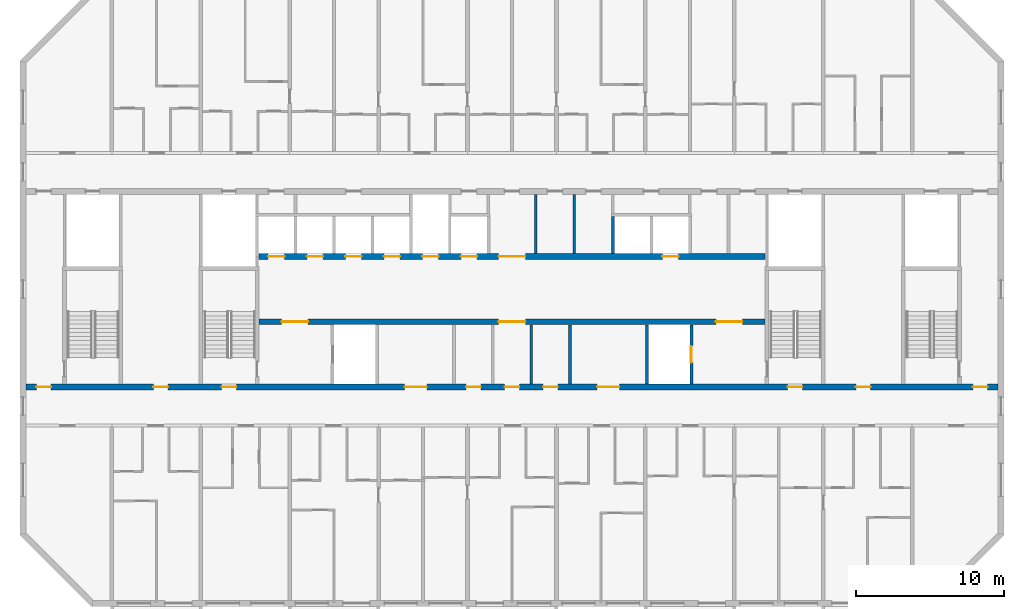
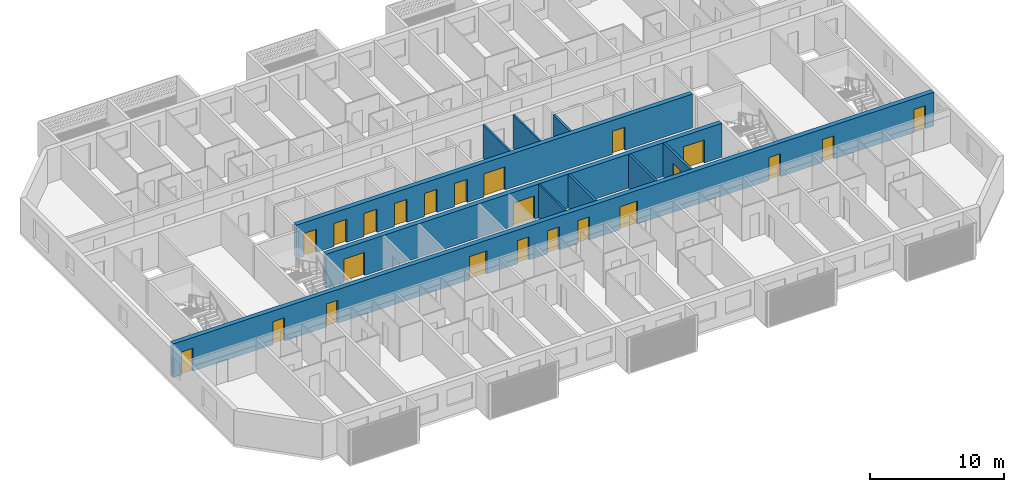
# One storey, part 6 of 27: 23 doors, 10 walls, 23 openings.
"""IFC4 building model written with IfcOpenShell, lengths in metres."""

from ifc_helpers import new_model, si_unit, direction, frame, frame_2d, origin, place, context, subcontext, project, spatial, rectangle, extrude, material, layer, layer_set, type_object, element, fill, save


model = new_model("IFC4")

# Units and contexts
model_context = context("Model", 3, precision=1e-05, world=origin(), true_north=direction((0.0, 1.0)))
body_context = subcontext(model_context, "Body", "Model", "MODEL_VIEW")
ifc_project = project(units=[si_unit("LENGTHUNIT", "METRE"), si_unit("AREAUNIT", "SQUARE_METRE"), si_unit("VOLUMEUNIT", "CUBIC_METRE"), si_unit("PLANEANGLEUNIT", "RADIAN"), si_unit("MASSUNIT", "GRAM", prefix="KILO")], contexts=[model_context])

# Site, building, storey
site_placement = place(None, origin())
site = spatial("IfcSite", under=ifc_project, at=site_placement, CompositionType="ELEMENT")
building_placement = place(site_placement, origin())
building = spatial("IfcBuilding", under=site, at=building_placement, Name="Poui Terraces", CompositionType="ELEMENT")
storey_placement = place(building_placement, frame((0.0, 0.0, 198.300048828125)))
storey = spatial("IfcBuildingStorey", under=building, at=storey_placement, Name="L55", CompositionType="ELEMENT", Elevation=198.300048828125)

# Wall, openings, doors
ifc_material_1 = material(Name="Concrete 50 MPa", Category="concrete")
ifc_layer_1 = layer(ifc_material_1, 0.39990234375)
ifc_layer_set_1 = layer_set([ifc_layer_1], Name="Concrete 50 MPa")
wall_type_1 = type_object("IfcWallType", Name="CORE WALL 400 50 MPA", PredefinedType="SOLIDWALL", material=ifc_layer_set_1)
wall_1_placement = place(storey_placement, frame((33.925048828125, 19.0, 0.0), z_axis=(0.0, 0.0, 1.0), x_axis=(1.0, 0.0, 0.0)))
wall_1 = element("IfcWall", 1, at=wall_1_placement, inside=storey, type_object=wall_type_1, Name="CORE WALL", PredefinedType="SOLIDWALL", context=body_context, shape_type="SweptSolid", body=[
    extrude(rectangle(XDim=34.14990234375, YDim=0.39990234375, at=frame_2d((17.074951171875, 0.0))), origin(), (0.0, 0.0, 1.0), 3.079833984375),
])
opening_1_placement = place(wall_1_placement, frame((16.175048828125, 0.0, 0.0)))
opening_1 = element("IfcOpeningElement", 2, at=opening_1_placement, cuts=wall_1, Name="Opening FDD60", PredefinedType="OPENING", context=body_context, shape_type="SweptSolid", body=[
    extrude(rectangle(XDim=1.800048828125, YDim=2.10009765625, at=frame_2d((0.89990234375, 1.050048828125))), frame((0.0, 0.2099609375, 0.0), z_axis=(0.0, -1.0, 0.0), x_axis=(1.0, 0.0, 0.0)), (0.0, 0.0, 1.0), 0.419921875),
])
opening_2_placement = place(wall_1_placement, frame((1.52490234375, 0.0, 0.0)))
opening_2 = element("IfcOpeningElement", 3, at=opening_2_placement, cuts=wall_1, Name="Opening FDD60", PredefinedType="OPENING", context=body_context, shape_type="SweptSolid", body=[
    extrude(rectangle(XDim=1.800048828125, YDim=2.10009765625, at=frame_2d((0.89990234375, 1.050048828125))), frame((0.0, 0.2099609375, 0.0), z_axis=(0.0, -1.0, 0.0), x_axis=(1.0, 0.0, 0.0)), (0.0, 0.0, 1.0), 0.419921875),
])
opening_3_placement = place(wall_1_placement, frame((30.824951171875, 0.0, 0.0)))
opening_3 = element("IfcOpeningElement", 4, at=opening_3_placement, cuts=wall_1, Name="Opening FDD60", PredefinedType="OPENING", context=body_context, shape_type="SweptSolid", body=[
    extrude(rectangle(XDim=1.800048828125, YDim=2.10009765625, at=frame_2d((0.89990234375, 1.050048828125))), frame((0.0, 0.2099609375, 0.0), z_axis=(0.0, -1.0, 0.0), x_axis=(1.0, 0.0, 0.0)), (0.0, 0.0, 1.0), 0.419921875),
])
ifc_material_2 = material(Name="Steel fire door", Category="steel")
door_type_1 = type_object("IfcDoorType", Name="DOUBLE LOBBY FIRE DOOR 1800 X 2100", OperationType="DOUBLE_DOOR_SINGLE_SWING", PredefinedType="DOOR", material=ifc_material_2)
door_1_placement = place(opening_1_placement, frame((1.800048828125, 0.0, 0.0), z_axis=(0.0, 0.0, 1.0), x_axis=(-1.0, 0.0, 0.0)))
door_1 = element("IfcDoor", 5, at=door_1_placement, inside=storey, type_object=door_type_1, Name="DOUBLE LOBBY FIRE DOOR 104", OperationType="DOUBLE_DOOR_SINGLE_SWING", OverallHeight=2.10009765625, OverallWidth=1.800048828125, PredefinedType="DOOR", context=body_context, shape_type="SweptSolid", body=[
    extrude(rectangle(XDim=1.800048828125, YDim=2.10009765625, at=frame_2d((0.89990234375, 1.050048828125))), frame((0.0, 0.02490234375, 0.0), z_axis=(0.0, -1.0, 0.0), x_axis=(1.0, 0.0, 0.0)), (0.0, 0.0, 1.0), 0.050048828125),
])
fill(opening_1, door_1)
door_2_placement = place(opening_2_placement, origin())
door_2 = element("IfcDoor", 6, at=door_2_placement, inside=storey, type_object=door_type_1, Name="DOUBLE LOBBY FIRE DOOR 106", OperationType="DOUBLE_DOOR_SINGLE_SWING", OverallHeight=2.10009765625, OverallWidth=1.800048828125, PredefinedType="DOOR", context=body_context, shape_type="SweptSolid", body=[
    extrude(rectangle(XDim=1.800048828125, YDim=2.10009765625, at=frame_2d((0.89990234375, 1.050048828125))), frame((0.0, 0.02490234375, 0.0), z_axis=(0.0, -1.0, 0.0), x_axis=(1.0, 0.0, 0.0)), (0.0, 0.0, 1.0), 0.050048828125),
])
fill(opening_2, door_2)
door_3_placement = place(opening_3_placement, origin())
door_3 = element("IfcDoor", 7, at=door_3_placement, inside=storey, type_object=door_type_1, Name="DOUBLE LOBBY FIRE DOOR 113", OperationType="DOUBLE_DOOR_SINGLE_SWING", OverallHeight=2.10009765625, OverallWidth=1.800048828125, PredefinedType="DOOR", context=body_context, shape_type="SweptSolid", body=[
    extrude(rectangle(XDim=1.800048828125, YDim=2.10009765625, at=frame_2d((0.89990234375, 1.050048828125))), frame((0.0, 0.02490234375, 0.0), z_axis=(0.0, -1.0, 0.0), x_axis=(1.0, 0.0, 0.0)), (0.0, 0.0, 1.0), 0.050048828125),
])
fill(opening_3, door_3)

wall_2_placement = place(storey_placement, frame((33.925048828125, 23.39990234375, 0.0), z_axis=(0.0, 0.0, 1.0), x_axis=(1.0, 0.0, 0.0)))
wall_2 = element("IfcWall", 8, at=wall_2_placement, inside=storey, type_object=wall_type_1, Name="CORE WALL", PredefinedType="SOLIDWALL", context=body_context, shape_type="SweptSolid", body=[
    extrude(rectangle(XDim=34.14990234375, YDim=0.39990234375, at=frame_2d((17.074951171875, 0.0))), origin(), (0.0, 0.0, 1.0), 3.079833984375),
])
opening_4_placement = place(wall_2_placement, frame((16.175048828125, 0.0, 0.0)))
opening_4 = element("IfcOpeningElement", 9, at=opening_4_placement, cuts=wall_2, Name="Opening FDD60", PredefinedType="OPENING", context=body_context, shape_type="SweptSolid", body=[
    extrude(rectangle(XDim=1.800048828125, YDim=2.10009765625, at=frame_2d((0.89990234375, 1.050048828125))), frame((0.0, 0.2099609375, 0.0), z_axis=(0.0, -1.0, 0.0), x_axis=(1.0, 0.0, 0.0)), (0.0, 0.0, 1.0), 0.419921875),
])
opening_5_placement = place(wall_2_placement, frame((0.625, 0.0, 0.0)))
opening_5 = element("IfcOpeningElement", 10, at=opening_5_placement, cuts=wall_2, Name="Opening LD", PredefinedType="OPENING", context=body_context, shape_type="SweptSolid", body=[
    extrude(rectangle(XDim=1.10009765625, YDim=2.10009765625, at=frame_2d((0.550048828125, 1.050048828125))), frame((0.0, 0.2099609375, 0.0), z_axis=(0.0, -1.0, 0.0), x_axis=(1.0, 0.0, 0.0)), (0.0, 0.0, 1.0), 0.419921875),
])
opening_6_placement = place(wall_2_placement, frame((3.22509765625, 0.0, 0.0)))
opening_6 = element("IfcOpeningElement", 11, at=opening_6_placement, cuts=wall_2, Name="Opening LD", PredefinedType="OPENING", context=body_context, shape_type="SweptSolid", body=[
    extrude(rectangle(XDim=1.10009765625, YDim=2.10009765625, at=frame_2d((0.550048828125, 1.050048828125))), frame((0.0, 0.2099609375, 0.0), z_axis=(0.0, -1.0, 0.0), x_axis=(1.0, 0.0, 0.0)), (0.0, 0.0, 1.0), 0.419921875),
])
opening_7_placement = place(wall_2_placement, frame((5.824951171875, 0.0, 0.0)))
opening_7 = element("IfcOpeningElement", 12, at=opening_7_placement, cuts=wall_2, Name="Opening LD", PredefinedType="OPENING", context=body_context, shape_type="SweptSolid", body=[
    extrude(rectangle(XDim=1.10009765625, YDim=2.10009765625, at=frame_2d((0.550048828125, 1.050048828125))), frame((0.0, 0.2099609375, 0.0), z_axis=(0.0, -1.0, 0.0), x_axis=(1.0, 0.0, 0.0)), (0.0, 0.0, 1.0), 0.419921875),
])
opening_8_placement = place(wall_2_placement, frame((8.425048828125, 0.0, 0.0)))
opening_8 = element("IfcOpeningElement", 13, at=opening_8_placement, cuts=wall_2, Name="Opening LD", PredefinedType="OPENING", context=body_context, shape_type="SweptSolid", body=[
    extrude(rectangle(XDim=1.10009765625, YDim=2.10009765625, at=frame_2d((0.550048828125, 1.050048828125))), frame((0.0, 0.2099609375, 0.0), z_axis=(0.0, -1.0, 0.0), x_axis=(1.0, 0.0, 0.0)), (0.0, 0.0, 1.0), 0.419921875),
])
opening_9_placement = place(wall_2_placement, frame((11.02490234375, 0.0, 0.0)))
opening_9 = element("IfcOpeningElement", 14, at=opening_9_placement, cuts=wall_2, Name="Opening LD", PredefinedType="OPENING", context=body_context, shape_type="SweptSolid", body=[
    extrude(rectangle(XDim=1.10009765625, YDim=2.10009765625, at=frame_2d((0.550048828125, 1.050048828125))), frame((0.0, 0.2099609375, 0.0), z_axis=(0.0, -1.0, 0.0), x_axis=(1.0, 0.0, 0.0)), (0.0, 0.0, 1.0), 0.419921875),
])
opening_10_placement = place(wall_2_placement, frame((13.625, 0.0, 0.0)))
opening_10 = element("IfcOpeningElement", 15, at=opening_10_placement, cuts=wall_2, Name="Opening LD", PredefinedType="OPENING", context=body_context, shape_type="SweptSolid", body=[
    extrude(rectangle(XDim=1.10009765625, YDim=2.10009765625, at=frame_2d((0.550048828125, 1.050048828125))), frame((0.0, 0.2099609375, 0.0), z_axis=(0.0, -1.0, 0.0), x_axis=(1.0, 0.0, 0.0)), (0.0, 0.0, 1.0), 0.419921875),
])
opening_11_placement = place(wall_2_placement, frame((27.22509765625, 0.0, 0.0)))
opening_11 = element("IfcOpeningElement", 16, at=opening_11_placement, cuts=wall_2, Name="Opening LD", PredefinedType="OPENING", context=body_context, shape_type="SweptSolid", body=[
    extrude(rectangle(XDim=1.10009765625, YDim=2.10009765625, at=frame_2d((0.550048828125, 1.050048828125))), frame((0.0, 0.2099609375, 0.0), z_axis=(0.0, -1.0, 0.0), x_axis=(1.0, 0.0, 0.0)), (0.0, 0.0, 1.0), 0.419921875),
])
door_4_placement = place(opening_4_placement, origin())
door_4 = element("IfcDoor", 17, at=door_4_placement, inside=storey, type_object=door_type_1, Name="DOUBLE LOBBY FIRE DOOR 103", OperationType="DOUBLE_DOOR_SINGLE_SWING", OverallHeight=2.10009765625, OverallWidth=1.800048828125, PredefinedType="DOOR", context=body_context, shape_type="SweptSolid", body=[
    extrude(rectangle(XDim=1.800048828125, YDim=2.10009765625, at=frame_2d((0.89990234375, 1.050048828125))), frame((0.0, 0.02490234375, 0.0), z_axis=(0.0, -1.0, 0.0), x_axis=(1.0, 0.0, 0.0)), (0.0, 0.0, 1.0), 0.050048828125),
])
fill(opening_4, door_4)
ifc_material_3 = material(Name="Stainless steel sliding door", Category="steel")
door_type_2 = type_object("IfcDoorType", Name="LIFT LANDING DOOR 1100 X 2100", OperationType="DOUBLE_DOOR_SLIDING", PredefinedType="DOOR", material=ifc_material_3)
door_5_placement = place(opening_5_placement, origin())
door_5 = element("IfcDoor", 18, at=door_5_placement, inside=storey, type_object=door_type_2, Name="LANDING DOOR", OperationType="DOUBLE_DOOR_SLIDING", OverallHeight=2.10009765625, OverallWidth=1.10009765625, PredefinedType="DOOR", context=body_context, shape_type="SweptSolid", body=[
    extrude(rectangle(XDim=1.10009765625, YDim=2.10009765625, at=frame_2d((0.550048828125, 1.050048828125))), frame((0.0, 0.02490234375, 0.0), z_axis=(0.0, -1.0, 0.0), x_axis=(1.0, 0.0, 0.0)), (0.0, 0.0, 1.0), 0.050048828125),
])
fill(opening_5, door_5)
door_6_placement = place(opening_6_placement, origin())
door_6 = element("IfcDoor", 19, at=door_6_placement, inside=storey, type_object=door_type_2, Name="LANDING DOOR", OperationType="DOUBLE_DOOR_SLIDING", OverallHeight=2.10009765625, OverallWidth=1.10009765625, PredefinedType="DOOR", context=body_context, shape_type="SweptSolid", body=[
    extrude(rectangle(XDim=1.10009765625, YDim=2.10009765625, at=frame_2d((0.550048828125, 1.050048828125))), frame((0.0, 0.02490234375, 0.0), z_axis=(0.0, -1.0, 0.0), x_axis=(1.0, 0.0, 0.0)), (0.0, 0.0, 1.0), 0.050048828125),
])
fill(opening_6, door_6)
door_7_placement = place(opening_7_placement, origin())
door_7 = element("IfcDoor", 20, at=door_7_placement, inside=storey, type_object=door_type_2, Name="LANDING DOOR", OperationType="DOUBLE_DOOR_SLIDING", OverallHeight=2.10009765625, OverallWidth=1.10009765625, PredefinedType="DOOR", context=body_context, shape_type="SweptSolid", body=[
    extrude(rectangle(XDim=1.10009765625, YDim=2.10009765625, at=frame_2d((0.550048828125, 1.050048828125))), frame((0.0, 0.02490234375, 0.0), z_axis=(0.0, -1.0, 0.0), x_axis=(1.0, 0.0, 0.0)), (0.0, 0.0, 1.0), 0.050048828125),
])
fill(opening_7, door_7)
door_8_placement = place(opening_8_placement, origin())
door_8 = element("IfcDoor", 21, at=door_8_placement, inside=storey, type_object=door_type_2, Name="LANDING DOOR", OperationType="DOUBLE_DOOR_SLIDING", OverallHeight=2.10009765625, OverallWidth=1.10009765625, PredefinedType="DOOR", context=body_context, shape_type="SweptSolid", body=[
    extrude(rectangle(XDim=1.10009765625, YDim=2.10009765625, at=frame_2d((0.550048828125, 1.050048828125))), frame((0.0, 0.02490234375, 0.0), z_axis=(0.0, -1.0, 0.0), x_axis=(1.0, 0.0, 0.0)), (0.0, 0.0, 1.0), 0.050048828125),
])
fill(opening_8, door_8)
door_9_placement = place(opening_9_placement, origin())
door_9 = element("IfcDoor", 22, at=door_9_placement, inside=storey, type_object=door_type_2, Name="LANDING DOOR", OperationType="DOUBLE_DOOR_SLIDING", OverallHeight=2.10009765625, OverallWidth=1.10009765625, PredefinedType="DOOR", context=body_context, shape_type="SweptSolid", body=[
    extrude(rectangle(XDim=1.10009765625, YDim=2.10009765625, at=frame_2d((0.550048828125, 1.050048828125))), frame((0.0, 0.02490234375, 0.0), z_axis=(0.0, -1.0, 0.0), x_axis=(1.0, 0.0, 0.0)), (0.0, 0.0, 1.0), 0.050048828125),
])
fill(opening_9, door_9)
door_10_placement = place(opening_10_placement, origin())
door_10 = element("IfcDoor", 23, at=door_10_placement, inside=storey, type_object=door_type_2, Name="LANDING DOOR", OperationType="DOUBLE_DOOR_SLIDING", OverallHeight=2.10009765625, OverallWidth=1.10009765625, PredefinedType="DOOR", context=body_context, shape_type="SweptSolid", body=[
    extrude(rectangle(XDim=1.10009765625, YDim=2.10009765625, at=frame_2d((0.550048828125, 1.050048828125))), frame((0.0, 0.02490234375, 0.0), z_axis=(0.0, -1.0, 0.0), x_axis=(1.0, 0.0, 0.0)), (0.0, 0.0, 1.0), 0.050048828125),
])
fill(opening_10, door_10)
door_11_placement = place(opening_11_placement, origin())
door_11 = element("IfcDoor", 24, at=door_11_placement, inside=storey, type_object=door_type_2, Name="LANDING DOOR", OperationType="DOUBLE_DOOR_SLIDING", OverallHeight=2.10009765625, OverallWidth=1.10009765625, PredefinedType="DOOR", context=body_context, shape_type="SweptSolid", body=[
    extrude(rectangle(XDim=1.10009765625, YDim=2.10009765625, at=frame_2d((0.550048828125, 1.050048828125))), frame((0.0, 0.02490234375, 0.0), z_axis=(0.0, -1.0, 0.0), x_axis=(1.0, 0.0, 0.0)), (0.0, 0.0, 1.0), 0.050048828125),
])
fill(opening_11, door_11)

# Walls
ifc_material_4 = material(Name="Fire-rated plasterboard wall")
ifc_layer_2 = layer(ifc_material_4, 0.14990234375)
ifc_layer_set_2 = layer_set([ifc_layer_2], Name="Fire-rated plasterboard wall")
wall_type_2 = type_object("IfcWallType", Name="CORRIDOR WALL 150", PredefinedType="PARTITIONING", material=ifc_layer_set_2)
for number, where, z_axis, x_axis, name in (
    (25, (52.300048828125, 14.81005859375, 0.0), (0.0, 0.0, 1.0), (0.0, 1.0, 0.0), "CORRIDOR WALL 150"),
    (26, (52.60009765625, 23.610107421875, 0.0), (0.0, 0.0, 1.0), (0.0, 1.0, 0.0), "CORRIDOR WALL 150"),
):
    element("IfcWall", number, at=place(storey_placement, frame(where, z_axis=z_axis, x_axis=x_axis)), inside=storey, type_object=wall_type_2, Name=name, PredefinedType="PARTITIONING", context=body_context, shape_type="SweptSolid", body=[
        extrude(rectangle(XDim=3.97998046875, YDim=0.14990234375, at=frame_2d((1.989990234375, 0.0))), origin(), (0.0, 0.0, 1.0), 3.079833984375),
    ])
ifc_material_5 = material(Name="Plasterboard partition")
ifc_layer_3 = layer(ifc_material_5, 0.14990234375)
ifc_layer_set_3 = layer_set([ifc_layer_3], Name="Plasterboard partition")
wall_type_3 = type_object("IfcWallType", Name="PARTITION WALL 150", PredefinedType="PARTITIONING", material=ifc_layer_set_3)
wall_3_placement = place(storey_placement, frame((55.199951171875, 23.610107421875, 0.0), z_axis=(0.0, 0.0, 1.0), x_axis=(0.0, 1.0, 0.0)))
element("IfcWall", 27, at=wall_3_placement, inside=storey, type_object=wall_type_3, Name="PARTITION WALL 150", PredefinedType="PARTITIONING", context=body_context, shape_type="SweptSolid", body=[
    extrude(rectangle(XDim=3.97998046875, YDim=0.14990234375, at=frame_2d((1.989990234375, 0.0))), origin(), (0.0, 0.0, 1.0), 3.079833984375),
])
ifc_material_6 = material(Name="Fire-rated masonry wall", Category="masonry")
ifc_layer_4 = layer(ifc_material_6, 0.199951171875)
ifc_layer_set_4 = layer_set([ifc_layer_4], Name="Fire-rated masonry wall")
wall_type_4 = type_object("IfcWallType", Name="PLANT ROOM WALL 200", PredefinedType="PARTITIONING", material=ifc_layer_set_4)
wall_4_placement = place(storey_placement, frame((54.89990234375, 14.81005859375, 0.0), z_axis=(0.0, 0.0, 1.0), x_axis=(0.0, 1.0, 0.0)))
element("IfcWall", 28, at=wall_4_placement, inside=storey, type_object=wall_type_4, Name="PLANT ROOM WALL 200", PredefinedType="PARTITIONING", context=body_context, shape_type="SweptSolid", body=[
    extrude(rectangle(XDim=3.97998046875, YDim=0.199951171875, at=frame_2d((1.989990234375, 0.0))), origin(), (0.0, 0.0, 1.0), 3.079833984375),
])
ifc_material_7 = material(Name="Fire-rated masonry shaft wall", Category="masonry")
ifc_layer_5 = layer(ifc_material_7, 0.199951171875)
ifc_layer_set_5 = layer_set([ifc_layer_5], Name="Fire-rated masonry shaft wall")
wall_type_5 = type_object("IfcWallType", Name="SHAFT WALL 200", PredefinedType="PARTITIONING", material=ifc_layer_set_5)
wall_5_placement = place(storey_placement, frame((57.800048828125, 23.610107421875, 0.0), z_axis=(0.0, 0.0, 1.0), x_axis=(0.0, 1.0, 0.0)))
element("IfcWall", 29, at=wall_5_placement, inside=storey, type_object=wall_type_5, Name="SHAFT WALL 200", PredefinedType="PARTITIONING", context=body_context, shape_type="SweptSolid", body=[
    extrude(rectangle(XDim=2.489990234375, YDim=0.199951171875, at=frame_2d((1.2451171875, 0.0))), origin(), (0.0, 0.0, 1.0), 3.079833984375),
])
wall_6_placement = place(storey_placement, frame((60.10009765625, 14.81005859375, 0.0), z_axis=(0.0, 0.0, 1.0), x_axis=(0.0, 1.0, 0.0)))
element("IfcWall", 30, at=wall_6_placement, inside=storey, type_object=wall_type_5, Name="SHAFT WALL 200", PredefinedType="PARTITIONING", context=body_context, shape_type="SweptSolid", body=[
    extrude(rectangle(XDim=3.97998046875, YDim=0.199951171875, at=frame_2d((1.989990234375, 0.0))), origin(), (0.0, 0.0, 1.0), 3.079833984375),
])

# Wall, opening, door
wall_7_placement = place(storey_placement, frame((63.10009765625, 14.81005859375, 0.0), z_axis=(0.0, 0.0, 1.0), x_axis=(0.0, 1.0, 0.0)))
wall_7 = element("IfcWall", 31, at=wall_7_placement, inside=storey, type_object=wall_type_5, Name="SHAFT WALL 200", PredefinedType="PARTITIONING", context=body_context, shape_type="SweptSolid", body=[
    extrude(rectangle(XDim=3.97998046875, YDim=0.199951171875, at=frame_2d((1.989990234375, 0.0))), origin(), (0.0, 0.0, 1.0), 3.079833984375),
])
opening_12_placement = place(wall_7_placement, frame((1.43994140625, 0.0, 0.0)))
opening_12 = element("IfcOpeningElement", 32, at=opening_12_placement, cuts=wall_7, Name="Opening LD", PredefinedType="OPENING", context=body_context, shape_type="SweptSolid", body=[
    extrude(rectangle(XDim=1.10009765625, YDim=2.10009765625, at=frame_2d((0.550048828125, 1.050048828125))), frame((0.0, 0.10986328125, 0.0), z_axis=(0.0, -1.0, 0.0), x_axis=(1.0, 0.0, 0.0)), (0.0, 0.0, 1.0), 0.219970703125),
])
door_12_placement = place(opening_12_placement, origin())
door_12 = element("IfcDoor", 33, at=door_12_placement, inside=storey, type_object=door_type_2, Name="LANDING DOOR", OperationType="DOUBLE_DOOR_SLIDING", OverallHeight=2.10009765625, OverallWidth=1.10009765625, PredefinedType="DOOR", context=body_context, shape_type="SweptSolid", body=[
    extrude(rectangle(XDim=1.10009765625, YDim=2.10009765625, at=frame_2d((0.550048828125, 1.050048828125))), frame((0.0, 0.02490234375, 0.0), z_axis=(0.0, -1.0, 0.0), x_axis=(1.0, 0.0, 0.0)), (0.0, 0.0, 1.0), 0.050048828125),
])
fill(opening_12, door_12)

# Wall, openings, doors
ifc_layer_6 = layer(ifc_material_1, 0.39990234375)
ifc_layer_set_6 = layer_set([ifc_layer_6], Name="Concrete 50 MPa")
wall_type_6 = type_object("IfcWallType", Name="SPINE WALL 400 50 MPA", PredefinedType="SOLIDWALL", material=ifc_layer_set_6)
wall_8_placement = place(storey_placement, frame((18.199951171875, 14.60009765625, 0.0), z_axis=(0.0, 0.0, 1.0), x_axis=(1.0, 0.0, 0.0)))
wall_8 = element("IfcWall", 34, at=wall_8_placement, inside=storey, type_object=wall_type_6, Name="SPINE WALL", PredefinedType="SOLIDWALL", context=body_context, shape_type="SweptSolid", body=[
    extrude(rectangle(XDim=65.60009765625, YDim=0.39990234375, at=frame_2d((32.800048828125, 0.0))), origin(), (0.0, 0.0, 1.0), 3.079833984375),
])
opening_13_placement = place(wall_8_placement, frame((0.699951171875, 0.0, 0.0)))
opening_13 = element("IfcOpeningElement", 35, at=opening_13_placement, cuts=wall_8, Name="Opening FDL", PredefinedType="OPENING", context=body_context, shape_type="SweptSolid", body=[
    extrude(rectangle(XDim=1.0, YDim=2.10009765625, at=frame_2d((0.5, 1.050048828125))), frame((0.0, 0.2099609375, 0.0), z_axis=(0.0, -1.0, 0.0), x_axis=(1.0, 0.0, 0.0)), (0.0, 0.0, 1.0), 0.419921875),
])
opening_14_placement = place(wall_8_placement, frame((8.60009765625, 0.0, 0.0)))
opening_14 = element("IfcOpeningElement", 36, at=opening_14_placement, cuts=wall_8, Name="Opening D100", PredefinedType="OPENING", context=body_context, shape_type="SweptSolid", body=[
    extrude(rectangle(XDim=1.0, YDim=2.10009765625, at=frame_2d((0.5, 1.050048828125))), frame((0.0, 0.2099609375, 0.0), z_axis=(0.0, -1.0, 0.0), x_axis=(1.0, 0.0, 0.0)), (0.0, 0.0, 1.0), 0.419921875),
])
opening_15_placement = place(wall_8_placement, frame((13.199951171875, 0.0, 0.0)))
opening_15 = element("IfcOpeningElement", 37, at=opening_15_placement, cuts=wall_8, Name="Opening FD60S", PredefinedType="OPENING", context=body_context, shape_type="SweptSolid", body=[
    extrude(rectangle(XDim=1.0, YDim=2.10009765625, at=frame_2d((0.5, 1.050048828125))), frame((0.0, 0.2099609375, 0.0), z_axis=(0.0, -1.0, 0.0), x_axis=(1.0, 0.0, 0.0)), (0.0, 0.0, 1.0), 0.419921875),
])
opening_16_placement = place(wall_8_placement, frame((25.550048828125, 0.0, 0.0)))
opening_16 = element("IfcOpeningElement", 38, at=opening_16_placement, cuts=wall_8, Name="Opening FDP", PredefinedType="OPENING", context=body_context, shape_type="SweptSolid", body=[
    extrude(rectangle(XDim=1.5, YDim=2.10009765625, at=frame_2d((0.75, 1.050048828125))), frame((0.0, 0.2099609375, 0.0), z_axis=(0.0, -1.0, 0.0), x_axis=(1.0, 0.0, 0.0)), (0.0, 0.0, 1.0), 0.419921875),
])
opening_17_placement = place(wall_8_placement, frame((29.699951171875, 0.0, 0.0)))
opening_17 = element("IfcOpeningElement", 39, at=opening_17_placement, cuts=wall_8, Name="Opening FD60", PredefinedType="OPENING", context=body_context, shape_type="SweptSolid", body=[
    extrude(rectangle(XDim=1.0, YDim=2.10009765625, at=frame_2d((0.5, 1.050048828125))), frame((0.0, 0.2099609375, 0.0), z_axis=(0.0, -1.0, 0.0), x_axis=(1.0, 0.0, 0.0)), (0.0, 0.0, 1.0), 0.419921875),
])
opening_18_placement = place(wall_8_placement, frame((32.300048828125, 0.0, 0.0)))
opening_18 = element("IfcOpeningElement", 40, at=opening_18_placement, cuts=wall_8, Name="Opening FDL", PredefinedType="OPENING", context=body_context, shape_type="SweptSolid", body=[
    extrude(rectangle(XDim=1.0, YDim=2.10009765625, at=frame_2d((0.5, 1.050048828125))), frame((0.0, 0.2099609375, 0.0), z_axis=(0.0, -1.0, 0.0), x_axis=(1.0, 0.0, 0.0)), (0.0, 0.0, 1.0), 0.419921875),
])
opening_19_placement = place(wall_8_placement, frame((34.89990234375, 0.0, 0.0)))
opening_19 = element("IfcOpeningElement", 41, at=opening_19_placement, cuts=wall_8, Name="Opening FD60", PredefinedType="OPENING", context=body_context, shape_type="SweptSolid", body=[
    extrude(rectangle(XDim=1.0, YDim=2.10009765625, at=frame_2d((0.5, 1.050048828125))), frame((0.0, 0.2099609375, 0.0), z_axis=(0.0, -1.0, 0.0), x_axis=(1.0, 0.0, 0.0)), (0.0, 0.0, 1.0), 0.419921875),
])
opening_20_placement = place(wall_8_placement, frame((38.550048828125, 0.0, 0.0)))
opening_20 = element("IfcOpeningElement", 42, at=opening_20_placement, cuts=wall_8, Name="Opening FDP", PredefinedType="OPENING", context=body_context, shape_type="SweptSolid", body=[
    extrude(rectangle(XDim=1.5, YDim=2.10009765625, at=frame_2d((0.75, 1.050048828125))), frame((0.0, 0.2099609375, 0.0), z_axis=(0.0, -1.0, 0.0), x_axis=(1.0, 0.0, 0.0)), (0.0, 0.0, 1.0), 0.419921875),
])
opening_21_placement = place(wall_8_placement, frame((51.39990234375, 0.0, 0.0)))
opening_21 = element("IfcOpeningElement", 43, at=opening_21_placement, cuts=wall_8, Name="Opening FD60S", PredefinedType="OPENING", context=body_context, shape_type="SweptSolid", body=[
    extrude(rectangle(XDim=1.0, YDim=2.10009765625, at=frame_2d((0.5, 1.050048828125))), frame((0.0, 0.2099609375, 0.0), z_axis=(0.0, -1.0, 0.0), x_axis=(1.0, 0.0, 0.0)), (0.0, 0.0, 1.0), 0.419921875),
])
opening_22_placement = place(wall_8_placement, frame((56.0, 0.0, 0.0)))
opening_22 = element("IfcOpeningElement", 44, at=opening_22_placement, cuts=wall_8, Name="Opening D100", PredefinedType="OPENING", context=body_context, shape_type="SweptSolid", body=[
    extrude(rectangle(XDim=1.0, YDim=2.10009765625, at=frame_2d((0.5, 1.050048828125))), frame((0.0, 0.2099609375, 0.0), z_axis=(0.0, -1.0, 0.0), x_axis=(1.0, 0.0, 0.0)), (0.0, 0.0, 1.0), 0.419921875),
])
opening_23_placement = place(wall_8_placement, frame((63.89990234375, 0.0, 0.0)))
opening_23 = element("IfcOpeningElement", 45, at=opening_23_placement, cuts=wall_8, Name="Opening FDL", PredefinedType="OPENING", context=body_context, shape_type="SweptSolid", body=[
    extrude(rectangle(XDim=1.0, YDim=2.10009765625, at=frame_2d((0.5, 1.050048828125))), frame((0.0, 0.2099609375, 0.0), z_axis=(0.0, -1.0, 0.0), x_axis=(1.0, 0.0, 0.0)), (0.0, 0.0, 1.0), 0.419921875),
])
ifc_material_8 = material(Name="Solid core timber door", Category="wood")
door_type_3 = type_object("IfcDoorType", Name="ACCESSIBLE INTERNAL DOOR 1000 X 2100", OperationType="NOTDEFINED", PredefinedType="DOOR", material=ifc_material_8)
door_13_placement = place(opening_14_placement, frame((1.0, 0.0, 0.0), z_axis=(0.0, 0.0, 1.0), x_axis=(-1.0, 0.0, 0.0)))
door_13 = element("IfcDoor", 46, at=door_13_placement, inside=storey, type_object=door_type_3, Name="ACCESSIBLE INTERNAL DOOR 017", OperationType="SINGLE_SWING_LEFT", OverallHeight=2.10009765625, OverallWidth=1.0, PredefinedType="DOOR", context=body_context, shape_type="SweptSolid", body=[
    extrude(rectangle(XDim=1.0, YDim=2.10009765625, at=frame_2d((0.5, 1.050048828125))), frame((0.0, 0.02490234375, 0.0), z_axis=(0.0, -1.0, 0.0), x_axis=(1.0, 0.0, 0.0)), (0.0, 0.0, 1.0), 0.050048828125),
])
fill(opening_14, door_13)
door_14_placement = place(opening_22_placement, frame((1.0, 0.0, 0.0), z_axis=(0.0, 0.0, 1.0), x_axis=(-1.0, 0.0, 0.0)))
door_14 = element("IfcDoor", 47, at=door_14_placement, inside=storey, type_object=door_type_3, Name="ACCESSIBLE INTERNAL DOOR 025", OperationType="SINGLE_SWING_RIGHT", OverallHeight=2.10009765625, OverallWidth=1.0, PredefinedType="DOOR", context=body_context, shape_type="SweptSolid", body=[
    extrude(rectangle(XDim=1.0, YDim=2.10009765625, at=frame_2d((0.5, 1.050048828125))), frame((0.0, 0.02490234375, 0.0), z_axis=(0.0, -1.0, 0.0), x_axis=(1.0, 0.0, 0.0)), (0.0, 0.0, 1.0), 0.050048828125),
])
fill(opening_22, door_14)
door_type_4 = type_object("IfcDoorType", Name="LOBBY FIRE DOOR 1000 X 2100", OperationType="NOTDEFINED", PredefinedType="DOOR", material=ifc_material_2)
door_15_placement = place(opening_13_placement, frame((1.0, 0.0, 0.0), z_axis=(0.0, 0.0, 1.0), x_axis=(-1.0, 0.0, 0.0)))
door_15 = element("IfcDoor", 48, at=door_15_placement, inside=storey, type_object=door_type_4, Name="LOBBY FIRE DOOR 016", OperationType="SINGLE_SWING_RIGHT", OverallHeight=2.10009765625, OverallWidth=1.0, PredefinedType="DOOR", context=body_context, shape_type="SweptSolid", body=[
    extrude(rectangle(XDim=1.0, YDim=2.10009765625, at=frame_2d((0.5, 1.050048828125))), frame((0.0, 0.02490234375, 0.0), z_axis=(0.0, -1.0, 0.0), x_axis=(1.0, 0.0, 0.0)), (0.0, 0.0, 1.0), 0.050048828125),
])
fill(opening_13, door_15)
door_16_placement = place(opening_18_placement, frame((1.0, 0.0, 0.0), z_axis=(0.0, 0.0, 1.0), x_axis=(-1.0, 0.0, 0.0)))
door_16 = element("IfcDoor", 49, at=door_16_placement, inside=storey, type_object=door_type_4, Name="LOBBY FIRE DOOR 021", OperationType="SINGLE_SWING_LEFT", OverallHeight=2.10009765625, OverallWidth=1.0, PredefinedType="DOOR", context=body_context, shape_type="SweptSolid", body=[
    extrude(rectangle(XDim=1.0, YDim=2.10009765625, at=frame_2d((0.5, 1.050048828125))), frame((0.0, 0.02490234375, 0.0), z_axis=(0.0, -1.0, 0.0), x_axis=(1.0, 0.0, 0.0)), (0.0, 0.0, 1.0), 0.050048828125),
])
fill(opening_18, door_16)
door_17_placement = place(opening_23_placement, frame((1.0, 0.0, 0.0), z_axis=(0.0, 0.0, 1.0), x_axis=(-1.0, 0.0, 0.0)))
door_17 = element("IfcDoor", 50, at=door_17_placement, inside=storey, type_object=door_type_4, Name="LOBBY FIRE DOOR 026", OperationType="SINGLE_SWING_LEFT", OverallHeight=2.10009765625, OverallWidth=1.0, PredefinedType="DOOR", context=body_context, shape_type="SweptSolid", body=[
    extrude(rectangle(XDim=1.0, YDim=2.10009765625, at=frame_2d((0.5, 1.050048828125))), frame((0.0, 0.02490234375, 0.0), z_axis=(0.0, -1.0, 0.0), x_axis=(1.0, 0.0, 0.0)), (0.0, 0.0, 1.0), 0.050048828125),
])
fill(opening_23, door_17)
door_type_5 = type_object("IfcDoorType", Name="PLANT ROOM DOOR PAIR 1500 X 2100", OperationType="DOUBLE_DOOR_SINGLE_SWING", PredefinedType="DOOR", material=ifc_material_2)
door_18_placement = place(opening_16_placement, frame((1.5, 0.0, 0.0), z_axis=(0.0, 0.0, 1.0), x_axis=(-1.0, 0.0, 0.0)))
door_18 = element("IfcDoor", 51, at=door_18_placement, inside=storey, type_object=door_type_5, Name="PLANT ROOM DOOR PAIR 019", OperationType="DOUBLE_DOOR_SINGLE_SWING", OverallHeight=2.10009765625, OverallWidth=1.5, PredefinedType="DOOR", context=body_context, shape_type="SweptSolid", body=[
    extrude(rectangle(XDim=1.5, YDim=2.10009765625, at=frame_2d((0.75, 1.050048828125))), frame((0.0, 0.02490234375, 0.0), z_axis=(0.0, -1.0, 0.0), x_axis=(1.0, 0.0, 0.0)), (0.0, 0.0, 1.0), 0.050048828125),
])
fill(opening_16, door_18)
door_19_placement = place(opening_20_placement, frame((1.5, 0.0, 0.0), z_axis=(0.0, 0.0, 1.0), x_axis=(-1.0, 0.0, 0.0)))
door_19 = element("IfcDoor", 52, at=door_19_placement, inside=storey, type_object=door_type_5, Name="PLANT ROOM DOOR PAIR 023", OperationType="DOUBLE_DOOR_SINGLE_SWING", OverallHeight=2.10009765625, OverallWidth=1.5, PredefinedType="DOOR", context=body_context, shape_type="SweptSolid", body=[
    extrude(rectangle(XDim=1.5, YDim=2.10009765625, at=frame_2d((0.75, 1.050048828125))), frame((0.0, 0.02490234375, 0.0), z_axis=(0.0, -1.0, 0.0), x_axis=(1.0, 0.0, 0.0)), (0.0, 0.0, 1.0), 0.050048828125),
])
fill(opening_20, door_19)
door_type_6 = type_object("IfcDoorType", Name="SERVICE ROOM FIRE DOOR 1000 X 2100", OperationType="NOTDEFINED", PredefinedType="DOOR", material=ifc_material_2)
door_20_placement = place(opening_17_placement, frame((1.0, 0.0, 0.0), z_axis=(0.0, 0.0, 1.0), x_axis=(-1.0, 0.0, 0.0)))
door_20 = element("IfcDoor", 53, at=door_20_placement, inside=storey, type_object=door_type_6, Name="SERVICE ROOM FIRE DOOR 020", OperationType="SINGLE_SWING_RIGHT", OverallHeight=2.10009765625, OverallWidth=1.0, PredefinedType="DOOR", context=body_context, shape_type="SweptSolid", body=[
    extrude(rectangle(XDim=1.0, YDim=2.10009765625, at=frame_2d((0.5, 1.050048828125))), frame((0.0, 0.02490234375, 0.0), z_axis=(0.0, -1.0, 0.0), x_axis=(1.0, 0.0, 0.0)), (0.0, 0.0, 1.0), 0.050048828125),
])
fill(opening_17, door_20)
door_21_placement = place(opening_19_placement, frame((1.0, 0.0, 0.0), z_axis=(0.0, 0.0, 1.0), x_axis=(-1.0, 0.0, 0.0)))
door_21 = element("IfcDoor", 54, at=door_21_placement, inside=storey, type_object=door_type_6, Name="SERVICE ROOM FIRE DOOR 022", OperationType="SINGLE_SWING_LEFT", OverallHeight=2.10009765625, OverallWidth=1.0, PredefinedType="DOOR", context=body_context, shape_type="SweptSolid", body=[
    extrude(rectangle(XDim=1.0, YDim=2.10009765625, at=frame_2d((0.5, 1.050048828125))), frame((0.0, 0.02490234375, 0.0), z_axis=(0.0, -1.0, 0.0), x_axis=(1.0, 0.0, 0.0)), (0.0, 0.0, 1.0), 0.050048828125),
])
fill(opening_19, door_21)
door_type_7 = type_object("IfcDoorType", Name="STAIR DOOR 1000 X 2100", OperationType="NOTDEFINED", PredefinedType="DOOR", material=ifc_material_2)
door_22_placement = place(opening_15_placement, origin())
door_22 = element("IfcDoor", 55, at=door_22_placement, inside=storey, type_object=door_type_7, Name="STAIR DOOR 018", OperationType="SINGLE_SWING_RIGHT", OverallHeight=2.10009765625, OverallWidth=1.0, PredefinedType="DOOR", context=body_context, shape_type="SweptSolid", body=[
    extrude(rectangle(XDim=1.0, YDim=2.10009765625, at=frame_2d((0.5, 1.050048828125))), frame((0.0, 0.02490234375, 0.0), z_axis=(0.0, -1.0, 0.0), x_axis=(1.0, 0.0, 0.0)), (0.0, 0.0, 1.0), 0.050048828125),
])
fill(opening_15, door_22)
door_23_placement = place(opening_21_placement, origin())
door_23 = element("IfcDoor", 56, at=door_23_placement, inside=storey, type_object=door_type_7, Name="STAIR DOOR 024", OperationType="SINGLE_SWING_RIGHT", OverallHeight=2.10009765625, OverallWidth=1.0, PredefinedType="DOOR", context=body_context, shape_type="SweptSolid", body=[
    extrude(rectangle(XDim=1.0, YDim=2.10009765625, at=frame_2d((0.5, 1.050048828125))), frame((0.0, 0.02490234375, 0.0), z_axis=(0.0, -1.0, 0.0), x_axis=(1.0, 0.0, 0.0)), (0.0, 0.0, 1.0), 0.050048828125),
])
fill(opening_21, door_23)

save(model, "model.ifc")
